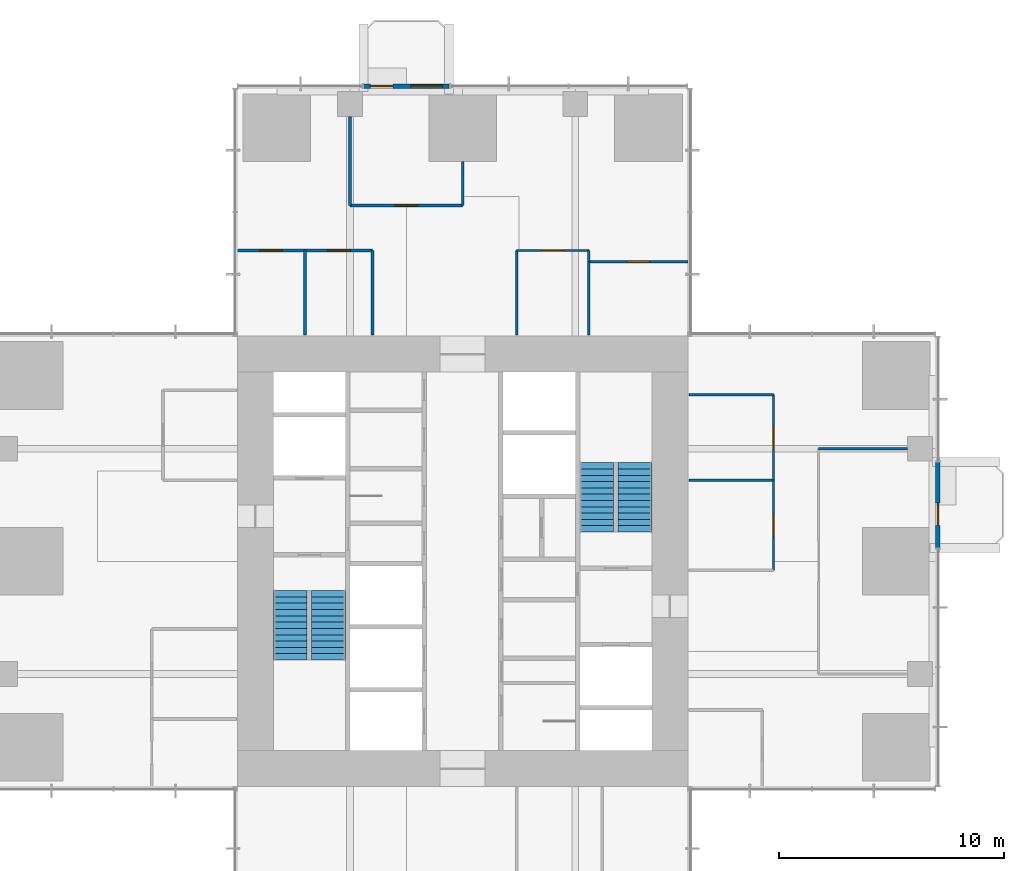
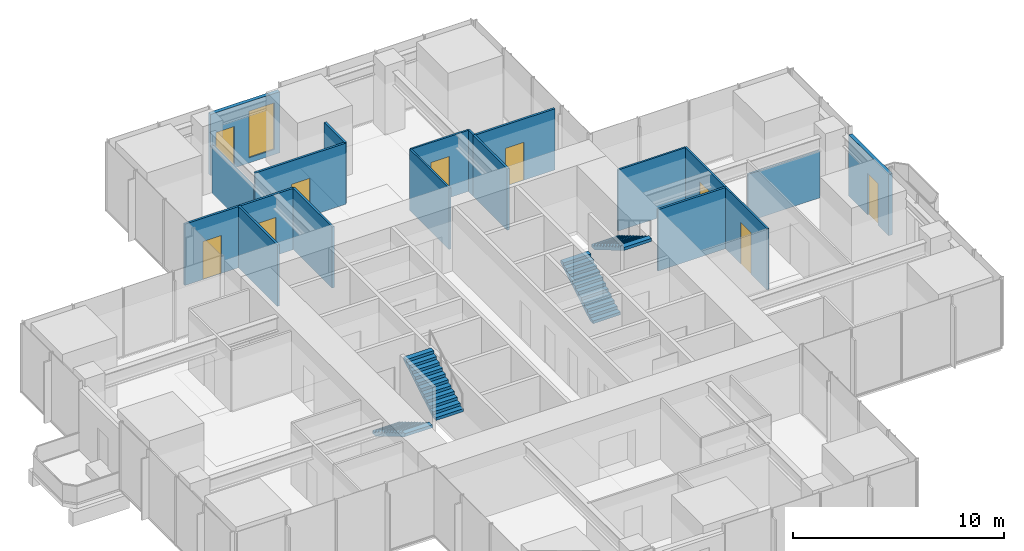
# One storey, part 10 of 13: 19 walls, 9 doors, 4 stair flights, 1 window, 10 openings, 2 elements without a shape of their own.
"""IFC4 building model written with IfcOpenShell, lengths in metres."""

from ifc_helpers import new_model, si_unit, direction, frame, frame_2d, origin, place, context, subcontext, project, spatial, polyline, rectangle, outline, extrude, material, layer, layer_set, type_object, element, fill, aggregate, save


model = new_model("IFC4")

# Units and contexts
model_context = context("Model", 3, precision=1e-05, world=origin(), true_north=direction((0.0, 1.0)))
body_context = subcontext(model_context, "Body", "Model", "MODEL_VIEW")
ifc_project = project(units=[si_unit("LENGTHUNIT", "METRE"), si_unit("AREAUNIT", "SQUARE_METRE"), si_unit("VOLUMEUNIT", "CUBIC_METRE"), si_unit("PLANEANGLEUNIT", "RADIAN"), si_unit("MASSUNIT", "GRAM", prefix="KILO")], contexts=[model_context])

# Site, building, storey
site_placement = place(None, origin())
site = spatial("IfcSite", under=ifc_project, at=site_placement, CompositionType="ELEMENT")
building_placement = place(site_placement, origin())
building = spatial("IfcBuilding", under=site, at=building_placement, Name="Svetlomir Tower", CompositionType="ELEMENT")
storey_placement = place(building_placement, frame((0.0, 0.0, 156.5)))
storey = spatial("IfcBuildingStorey", under=building, at=storey_placement, Name="L37", CompositionType="ELEMENT", Elevation=156.5)

# Wall, opening, door
ifc_material_1 = material(Name="Bronze anodised aluminium glazed screen", Category="aluminium")
ifc_layer_1 = layer(ifc_material_1, 0.199951171875)
ifc_layer_set_1 = layer_set([ifc_layer_1], Name="Bronze anodised aluminium glazed screen")
wall_type_1 = type_object("IfcWallType", Name="BALCONY SCREEN WALL 200", PredefinedType="USERDEFINED", material=ifc_layer_set_1)
wall_1_placement = place(storey_placement, frame((42.10009765625, 21.60009765625, 0.0), z_axis=(0.0, 0.0, 1.0), x_axis=(0.0, 1.0, 0.0)))
wall_1 = element("IfcWall", 1, at=wall_1_placement, inside=storey, type_object=wall_type_1, Name="Balcony screen E", ObjectType="GLAZED SCREEN", PredefinedType="USERDEFINED", context=body_context, shape_type="SweptSolid", body=[
    extrude(rectangle(XDim=3.7998046875, YDim=0.199951171875, at=frame_2d((1.89990234375, 0.0))), origin(), (0.0, 0.0, 1.0), 3.550048828125),
])
opening_1_placement = place(wall_1_placement, frame((1.0, 0.0, 0.0)))
opening_1 = element("IfcOpeningElement", 2, at=opening_1_placement, cuts=wall_1, Name="Opening BD", PredefinedType="OPENING", context=body_context, shape_type="SweptSolid", body=[
    extrude(rectangle(XDim=1.0, YDim=2.39990234375, at=frame_2d((0.5, 1.199951171875))), frame((0.0, 0.10986328125, 0.0), z_axis=(0.0, -1.0, 0.0), x_axis=(1.0, 0.0, 0.0)), (0.0, 0.0, 1.0), 0.219970703125),
])
ifc_material_2 = material(Name="Bronze anodised aluminium glazed door", Category="aluminium")
door_type_1 = type_object("IfcDoorType", Name="BALCONY DOOR BD 1000x2400", OperationType="SINGLE_SWING_LEFT", PredefinedType="DOOR", material=ifc_material_2)
door_1_placement = place(opening_1_placement, origin())
door_1 = element("IfcDoor", 3, at=door_1_placement, inside=storey, type_object=door_type_1, Name="Balcony screen E door", OperationType="SINGLE_SWING_LEFT", OverallHeight=2.39990234375, OverallWidth=1.0, PredefinedType="DOOR", context=body_context, shape_type="SweptSolid", body=[
    extrude(rectangle(XDim=1.0, YDim=2.39990234375, at=frame_2d((0.5, 1.199951171875))), frame((0.0, 0.02490234375, 0.0), z_axis=(0.0, -1.0, 0.0), x_axis=(1.0, 0.0, 0.0)), (0.0, 0.0, 1.0), 0.050048828125),
])
fill(opening_1, door_1)

# Wall, openings, door, window
wall_2_placement = place(storey_placement, frame((20.39990234375, 42.10009765625, 0.0), z_axis=(0.0, 0.0, 1.0), x_axis=(-1.0, 0.0, 0.0)))
wall_2 = element("IfcWall", 4, at=wall_2_placement, inside=storey, type_object=wall_type_1, Name="Balcony screen N", ObjectType="GLAZED SCREEN", PredefinedType="USERDEFINED", context=body_context, shape_type="SweptSolid", body=[
    extrude(rectangle(XDim=3.7998046875, YDim=0.199951171875, at=frame_2d((1.89990234375, 0.0))), origin(), (0.0, 0.0, 1.0), 3.550048828125),
])
opening_2_placement = place(wall_2_placement, frame((2.5, 0.0, 0.0)))
opening_2 = element("IfcOpeningElement", 5, at=opening_2_placement, cuts=wall_2, Name="Opening BD", PredefinedType="OPENING", context=body_context, shape_type="SweptSolid", body=[
    extrude(rectangle(XDim=1.0, YDim=2.39990234375, at=frame_2d((0.5, 1.199951171875))), frame((0.0, 0.10986328125, 0.0), z_axis=(0.0, -1.0, 0.0), x_axis=(1.0, 0.0, 0.0)), (0.0, 0.0, 1.0), 0.219970703125),
])
opening_3_placement = place(wall_2_placement, frame((0.300048828125, 0.0, 0.300048828125)))
opening_3 = element("IfcOpeningElement", 6, at=opening_3_placement, cuts=wall_2, Name="Opening WS2", PredefinedType="OPENING", context=body_context, shape_type="SweptSolid", body=[
    extrude(rectangle(XDim=1.39990234375, YDim=2.699951171875, at=frame_2d((0.699951171875, 1.35009765625))), frame((0.0, 0.10986328125, 0.0), z_axis=(0.0, -1.0, 0.0), x_axis=(1.0, 0.0, 0.0)), (0.0, 0.0, 1.0), 0.219970703125),
])
door_2_placement = place(opening_2_placement, origin())
door_2 = element("IfcDoor", 7, at=door_2_placement, inside=storey, type_object=door_type_1, Name="Balcony screen N door", OperationType="SINGLE_SWING_LEFT", OverallHeight=2.39990234375, OverallWidth=1.0, PredefinedType="DOOR", context=body_context, shape_type="SweptSolid", body=[
    extrude(rectangle(XDim=1.0, YDim=2.39990234375, at=frame_2d((0.5, 1.199951171875))), frame((0.0, 0.02490234375, 0.0), z_axis=(0.0, -1.0, 0.0), x_axis=(1.0, 0.0, 0.0)), (0.0, 0.0, 1.0), 0.050048828125),
])
fill(opening_2, door_2)
ifc_material_3 = material(Name="Bronze anodised aluminium window", Category="aluminium")
window_type = type_object("IfcWindowType", Name="SCREEN WINDOW WS2 1400x2700", PartitioningType="SINGLE_PANEL", PredefinedType="WINDOW", material=ifc_material_3)
window_placement = place(opening_3_placement, origin())
window = element("IfcWindow", 8, at=window_placement, inside=storey, type_object=window_type, Name="Balcony screen N window 1", OverallHeight=2.699951171875, OverallWidth=1.39990234375, PartitioningType="SINGLE_PANEL", PredefinedType="WINDOW", context=body_context, shape_type="SweptSolid", body=[
    extrude(rectangle(XDim=1.39990234375, YDim=2.699951171875, at=frame_2d((0.699951171875, 1.35009765625))), frame((0.0, 0.030029296875, 0.0), z_axis=(0.0, -1.0, 0.0), x_axis=(1.0, 0.0, 0.0)), (0.0, 0.0, 1.0), 0.06005859375),
])
fill(opening_3, window)

# Wall
ifc_material_4 = material(Name="Framed laminated glass partition", Category="glass")
ifc_layer_2 = layer(ifc_material_4, 0.10009765625)
ifc_layer_set_2 = layer_set([ifc_layer_2], Name="Framed laminated glass partition")
wall_type_2 = type_object("IfcWallType", Name="GLAZED PARTITION 100", PredefinedType="PARTITIONING", material=ifc_layer_set_2)
wall_3_placement = place(storey_placement, frame((23.39990234375, 31.050048828125, 0.0), z_axis=(0.0, 0.0, 1.0), x_axis=(0.0, 1.0, 0.0)))
element("IfcWall", 9, at=wall_3_placement, inside=storey, type_object=wall_type_2, Name="Glazed partition L37", PredefinedType="PARTITIONING", context=body_context, shape_type="SweptSolid", body=[
    extrude(rectangle(XDim=3.75, YDim=0.10009765625, at=frame_2d((1.875, 0.0))), origin(), (0.0, 0.0, 1.0), 3.550048828125),
])

# Wall, opening, door
wall_4_placement = place(storey_placement, frame((23.39990234375, 34.800048828125, 0.0), z_axis=(0.0, 0.0, 1.0), x_axis=(1.0, 0.0, 0.0)))
wall_4 = element("IfcWall", 10, at=wall_4_placement, inside=storey, type_object=wall_type_2, Name="Glazed partition L37", PredefinedType="PARTITIONING", context=body_context, shape_type="SweptSolid", body=[
    extrude(rectangle(XDim=3.2001953125, YDim=0.10009765625, at=frame_2d((1.60009765625, 0.0))), origin(), (0.0, 0.0, 1.0), 3.550048828125),
])
opening_4_placement = place(wall_4_placement, frame((1.10009765625, 0.0, 0.0)))
opening_4 = element("IfcOpeningElement", 11, at=opening_4_placement, cuts=wall_4, Name="Opening DG", PredefinedType="OPENING", context=body_context, shape_type="SweptSolid", body=[
    extrude(rectangle(XDim=1.0, YDim=2.39990234375, at=frame_2d((0.5, 1.199951171875))), frame((0.0, 0.06005859375, 0.0), z_axis=(0.0, -1.0, 0.0), x_axis=(1.0, 0.0, 0.0)), (0.0, 0.0, 1.0), 0.1201171875),
])
ifc_material_5 = material(Name="Framed laminated glass door", Category="glass")
door_type_2 = type_object("IfcDoorType", Name="GLAZED DOOR DG 1000x2400", OperationType="SINGLE_SWING_LEFT", PredefinedType="DOOR", material=ifc_material_5)
door_3_placement = place(opening_4_placement, origin())
door_3 = element("IfcDoor", 12, at=door_3_placement, inside=storey, type_object=door_type_2, Name="Focus room 2 door L37", OperationType="SINGLE_SWING_RIGHT", OverallHeight=2.39990234375, OverallWidth=1.0, PredefinedType="DOOR", context=body_context, shape_type="SweptSolid", body=[
    extrude(rectangle(XDim=1.0, YDim=2.39990234375, at=frame_2d((0.5, 1.199951171875))), frame((0.0, 0.02490234375, 0.0), z_axis=(0.0, -1.0, 0.0), x_axis=(1.0, 0.0, 0.0)), (0.0, 0.0, 1.0), 0.050048828125),
])
fill(opening_4, door_3)

# Walls
wall_5_placement = place(storey_placement, frame((26.60009765625, 34.300048828125, 0.0), z_axis=(0.0, 0.0, 1.0), x_axis=(0.0, 1.0, 0.0)))
element("IfcWall", 13, at=wall_5_placement, inside=storey, type_object=wall_type_2, Name="Glazed partition L37", PredefinedType="PARTITIONING", context=body_context, shape_type="SweptSolid", body=[
    extrude(rectangle(XDim=0.5, YDim=0.10009765625, at=frame_2d((0.25, 0.0))), origin(), (0.0, 0.0, 1.0), 3.550048828125),
])
wall_6_placement = place(storey_placement, frame((31.050048828125, 28.39990234375, 0.0), z_axis=(0.0, 0.0, 1.0), x_axis=(1.0, 0.0, 0.0)))
element("IfcWall", 14, at=wall_6_placement, inside=storey, type_object=wall_type_2, Name="Glazed partition L37", PredefinedType="PARTITIONING", context=body_context, shape_type="SweptSolid", body=[
    extrude(rectangle(XDim=3.75, YDim=0.10009765625, at=frame_2d((1.875, 0.0))), origin(), (0.0, 0.0, 1.0), 3.550048828125),
])

# Wall, opening, door
wall_7_placement = place(storey_placement, frame((34.800048828125, 20.60009765625, 0.0), z_axis=(0.0, 0.0, 1.0), x_axis=(0.0, 1.0, 0.0)))
wall_7 = element("IfcWall", 15, at=wall_7_placement, inside=storey, type_object=wall_type_2, Name="Glazed partition L37", PredefinedType="PARTITIONING", context=body_context, shape_type="SweptSolid", body=[
    extrude(rectangle(XDim=4.0, YDim=0.10009765625, at=frame_2d((2.0, 0.0))), origin(), (0.0, 0.0, 1.0), 3.550048828125),
])
opening_5_placement = place(wall_7_placement, frame((1.5, 0.0, 0.0)))
opening_5 = element("IfcOpeningElement", 16, at=opening_5_placement, cuts=wall_7, Name="Opening DG", PredefinedType="OPENING", context=body_context, shape_type="SweptSolid", body=[
    extrude(rectangle(XDim=1.0, YDim=2.39990234375, at=frame_2d((0.5, 1.199951171875))), frame((0.0, 0.06005859375, 0.0), z_axis=(0.0, -1.0, 0.0), x_axis=(1.0, 0.0, 0.0)), (0.0, 0.0, 1.0), 0.1201171875),
])
door_4_placement = place(opening_5_placement, origin())
door_4 = element("IfcDoor", 17, at=door_4_placement, inside=storey, type_object=door_type_2, Name="Meeting room, 8 seats door L37", OperationType="SINGLE_SWING_LEFT", OverallHeight=2.39990234375, OverallWidth=1.0, PredefinedType="DOOR", context=body_context, shape_type="SweptSolid", body=[
    extrude(rectangle(XDim=1.0, YDim=2.39990234375, at=frame_2d((0.5, 1.199951171875))), frame((0.0, 0.02490234375, 0.0), z_axis=(0.0, -1.0, 0.0), x_axis=(1.0, 0.0, 0.0)), (0.0, 0.0, 1.0), 0.050048828125),
])
fill(opening_5, door_4)

wall_8_placement = place(storey_placement, frame((34.800048828125, 24.60009765625, 0.0), z_axis=(0.0, 0.0, 1.0), x_axis=(0.0, 1.0, 0.0)))
wall_8 = element("IfcWall", 18, at=wall_8_placement, inside=storey, type_object=wall_type_2, Name="Glazed partition L37", PredefinedType="PARTITIONING", context=body_context, shape_type="SweptSolid", body=[
    extrude(rectangle(XDim=3.7998046875, YDim=0.10009765625, at=frame_2d((1.89990234375, 0.0))), origin(), (0.0, 0.0, 1.0), 3.550048828125),
])
opening_6_placement = place(wall_8_placement, frame((1.39990234375, 0.0, 0.0)))
opening_6 = element("IfcOpeningElement", 19, at=opening_6_placement, cuts=wall_8, Name="Opening DG", PredefinedType="OPENING", context=body_context, shape_type="SweptSolid", body=[
    extrude(rectangle(XDim=1.0, YDim=2.39990234375, at=frame_2d((0.5, 1.199951171875))), frame((0.0, 0.06005859375, 0.0), z_axis=(0.0, -1.0, 0.0), x_axis=(1.0, 0.0, 0.0)), (0.0, 0.0, 1.0), 0.1201171875),
])
door_5_placement = place(opening_6_placement, origin())
door_5 = element("IfcDoor", 20, at=door_5_placement, inside=storey, type_object=door_type_2, Name="Focus room 1 door L37", OperationType="SINGLE_SWING_RIGHT", OverallHeight=2.39990234375, OverallWidth=1.0, PredefinedType="DOOR", context=body_context, shape_type="SweptSolid", body=[
    extrude(rectangle(XDim=1.0, YDim=2.39990234375, at=frame_2d((0.5, 1.199951171875))), frame((0.0, 0.02490234375, 0.0), z_axis=(0.0, -1.0, 0.0), x_axis=(1.0, 0.0, 0.0)), (0.0, 0.0, 1.0), 0.050048828125),
])
fill(opening_6, door_5)

# Wall
wall_9_placement = place(storey_placement, frame((36.800048828125, 26.0, 0.0), z_axis=(0.0, 0.0, 1.0), x_axis=(1.0, 0.0, 0.0)))
element("IfcWall", 21, at=wall_9_placement, inside=storey, type_object=wall_type_2, Name="Glazed partition L37", PredefinedType="PARTITIONING", context=body_context, shape_type="SweptSolid", body=[
    extrude(rectangle(XDim=3.93994140625, YDim=0.10009765625, at=frame_2d((1.969970703125, 0.0))), origin(), (0.0, 0.0, 1.0), 2.736083984375),
])

# Wall, opening, door
ifc_material_6 = material(Name="Gypsum board on steel studs", Category="steel")
ifc_layer_3 = layer(ifc_material_6, 0.1201171875)
ifc_layer_set_3 = layer_set([ifc_layer_3], Name="Gypsum board on steel studs")
wall_type_3 = type_object("IfcWallType", Name="PARTITION 120", PredefinedType="PARTITIONING", material=ifc_layer_set_3)
wall_10_placement = place(storey_placement, frame((11.0, 34.800048828125, 0.0), z_axis=(0.0, 0.0, 1.0), x_axis=(1.0, 0.0, 0.0)))
wall_10 = element("IfcWall", 22, at=wall_10_placement, inside=storey, type_object=wall_type_3, Name="Partition L37", PredefinedType="PARTITIONING", context=body_context, shape_type="SweptSolid", body=[
    extrude(rectangle(XDim=3.0, YDim=0.1201171875, at=frame_2d((1.5, 0.0))), origin(), (0.0, 0.0, 1.0), 3.550048828125),
])
opening_7_placement = place(wall_10_placement, frame((1.0, 0.0, 0.0)))
opening_7 = element("IfcOpeningElement", 23, at=opening_7_placement, cuts=wall_10, Name="Opening DR", PredefinedType="OPENING", context=body_context, shape_type="SweptSolid", body=[
    extrude(rectangle(XDim=1.0, YDim=2.199951171875, at=frame_2d((0.5, 1.10009765625))), frame((0.0, 0.070068359375, 0.0), z_axis=(0.0, -1.0, 0.0), x_axis=(1.0, 0.0, 0.0)), (0.0, 0.0, 1.0), 0.14013671875),
])
ifc_material_7 = material(Name="Timber door, glazed side light", Category="wood")
door_type_3 = type_object("IfcDoorType", Name="DOOR DR 1000x2200", OperationType="SINGLE_SWING_LEFT", PredefinedType="DOOR", material=ifc_material_7)
door_6_placement = place(opening_7_placement, origin())
door_6 = element("IfcDoor", 24, at=door_6_placement, inside=storey, type_object=door_type_3, Name="Editing suite 1 door L37", OperationType="SINGLE_SWING_RIGHT", OverallHeight=2.199951171875, OverallWidth=1.0, PredefinedType="DOOR", context=body_context, shape_type="SweptSolid", body=[
    extrude(rectangle(XDim=1.0, YDim=2.199951171875, at=frame_2d((0.5, 1.10009765625))), frame((0.0, 0.02490234375, 0.0), z_axis=(0.0, -1.0, 0.0), x_axis=(1.0, 0.0, 0.0)), (0.0, 0.0, 1.0), 0.050048828125),
])
fill(opening_7, door_6)

# Wall
wall_11_placement = place(storey_placement, frame((14.0, 31.050048828125, 0.0), z_axis=(0.0, 0.0, 1.0), x_axis=(0.0, 1.0, 0.0)))
element("IfcWall", 25, at=wall_11_placement, inside=storey, type_object=wall_type_3, Name="Partition L37", PredefinedType="PARTITIONING", context=body_context, shape_type="SweptSolid", body=[
    extrude(rectangle(XDim=3.75, YDim=0.1201171875, at=frame_2d((1.875, 0.0))), origin(), (0.0, 0.0, 1.0), 3.550048828125),
])

# Wall, opening, door
wall_12_placement = place(storey_placement, frame((14.0, 34.800048828125, 0.0), z_axis=(0.0, 0.0, 1.0), x_axis=(1.0, 0.0, 0.0)))
wall_12 = element("IfcWall", 26, at=wall_12_placement, inside=storey, type_object=wall_type_3, Name="Partition L37", PredefinedType="PARTITIONING", context=body_context, shape_type="SweptSolid", body=[
    extrude(rectangle(XDim=3.0, YDim=0.1201171875, at=frame_2d((1.5, 0.0))), origin(), (0.0, 0.0, 1.0), 3.550048828125),
])
opening_8_placement = place(wall_12_placement, frame((1.0, 0.0, 0.0)))
opening_8 = element("IfcOpeningElement", 27, at=opening_8_placement, cuts=wall_12, Name="Opening DR", PredefinedType="OPENING", context=body_context, shape_type="SweptSolid", body=[
    extrude(rectangle(XDim=1.0, YDim=2.199951171875, at=frame_2d((0.5, 1.10009765625))), frame((0.0, 0.070068359375, 0.0), z_axis=(0.0, -1.0, 0.0), x_axis=(1.0, 0.0, 0.0)), (0.0, 0.0, 1.0), 0.14013671875),
])
door_7_placement = place(opening_8_placement, origin())
door_7 = element("IfcDoor", 28, at=door_7_placement, inside=storey, type_object=door_type_3, Name="Editing suite 2 door L37", OperationType="SINGLE_SWING_LEFT", OverallHeight=2.199951171875, OverallWidth=1.0, PredefinedType="DOOR", context=body_context, shape_type="SweptSolid", body=[
    extrude(rectangle(XDim=1.0, YDim=2.199951171875, at=frame_2d((0.5, 1.10009765625))), frame((0.0, 0.02490234375, 0.0), z_axis=(0.0, -1.0, 0.0), x_axis=(1.0, 0.0, 0.0)), (0.0, 0.0, 1.0), 0.050048828125),
])
fill(opening_8, door_7)

# Wall
wall_13_placement = place(storey_placement, frame((16.0, 36.800048828125, 0.0), z_axis=(0.0, 0.0, 1.0), x_axis=(0.0, 1.0, 0.0)))
element("IfcWall", 29, at=wall_13_placement, inside=storey, type_object=wall_type_3, Name="Partition L37", PredefinedType="PARTITIONING", context=body_context, shape_type="SweptSolid", body=[
    extrude(rectangle(XDim=3.93994140625, YDim=0.1201171875, at=frame_2d((1.969970703125, 0.0))), origin(), (0.0, 0.0, 1.0), 2.736083984375),
])

# Wall, opening, door
wall_14_placement = place(storey_placement, frame((16.0, 36.800048828125, 0.0), z_axis=(0.0, 0.0, 1.0), x_axis=(1.0, 0.0, 0.0)))
wall_14 = element("IfcWall", 30, at=wall_14_placement, inside=storey, type_object=wall_type_3, Name="Partition L37", PredefinedType="PARTITIONING", context=body_context, shape_type="SweptSolid", body=[
    extrude(rectangle(XDim=5.0, YDim=0.1201171875, at=frame_2d((2.5, 0.0))), origin(), (0.0, 0.0, 1.0), 3.550048828125),
])
opening_9_placement = place(wall_14_placement, frame((2.0, 0.0, 0.0)))
opening_9 = element("IfcOpeningElement", 31, at=opening_9_placement, cuts=wall_14, Name="Opening DR", PredefinedType="OPENING", context=body_context, shape_type="SweptSolid", body=[
    extrude(rectangle(XDim=1.0, YDim=2.199951171875, at=frame_2d((0.5, 1.10009765625))), frame((0.0, 0.070068359375, 0.0), z_axis=(0.0, -1.0, 0.0), x_axis=(1.0, 0.0, 0.0)), (0.0, 0.0, 1.0), 0.14013671875),
])
door_8_placement = place(opening_9_placement, origin())
door_8 = element("IfcDoor", 32, at=door_8_placement, inside=storey, type_object=door_type_3, Name="Photo studio door L37", OperationType="SINGLE_SWING_RIGHT", OverallHeight=2.199951171875, OverallWidth=1.0, PredefinedType="DOOR", context=body_context, shape_type="SweptSolid", body=[
    extrude(rectangle(XDim=1.0, YDim=2.199951171875, at=frame_2d((0.5, 1.10009765625))), frame((0.0, 0.02490234375, 0.0), z_axis=(0.0, -1.0, 0.0), x_axis=(1.0, 0.0, 0.0)), (0.0, 0.0, 1.0), 0.050048828125),
])
fill(opening_9, door_8)

# Walls
wall_15_placement = place(storey_placement, frame((17.0, 31.050048828125, 0.0), z_axis=(0.0, 0.0, 1.0), x_axis=(0.0, 1.0, 0.0)))
element("IfcWall", 33, at=wall_15_placement, inside=storey, type_object=wall_type_3, Name="Partition L37", PredefinedType="PARTITIONING", context=body_context, shape_type="SweptSolid", body=[
    extrude(rectangle(XDim=3.75, YDim=0.1201171875, at=frame_2d((1.875, 0.0))), origin(), (0.0, 0.0, 1.0), 3.550048828125),
])
wall_16_placement = place(storey_placement, frame((21.0, 36.800048828125, 0.0), z_axis=(0.0, 0.0, 1.0), x_axis=(0.0, 1.0, 0.0)))
element("IfcWall", 34, at=wall_16_placement, inside=storey, type_object=wall_type_3, Name="Partition L37", PredefinedType="PARTITIONING", context=body_context, shape_type="SweptSolid", body=[
    extrude(rectangle(XDim=1.93994140625, YDim=0.1201171875, at=frame_2d((0.969970703125, 0.0))), origin(), (0.0, 0.0, 1.0), 3.550048828125),
])
wall_17_placement = place(storey_placement, frame((26.60009765625, 31.050048828125, 0.0), z_axis=(0.0, 0.0, 1.0), x_axis=(0.0, 1.0, 0.0)))
element("IfcWall", 35, at=wall_17_placement, inside=storey, type_object=wall_type_3, Name="Partition L37", PredefinedType="PARTITIONING", context=body_context, shape_type="SweptSolid", body=[
    extrude(rectangle(XDim=3.25, YDim=0.1201171875, at=frame_2d((1.625, 0.0))), origin(), (0.0, 0.0, 1.0), 3.550048828125),
])

# Wall, opening, door
wall_18_placement = place(storey_placement, frame((26.60009765625, 34.300048828125, 0.0), z_axis=(0.0, 0.0, 1.0), x_axis=(1.0, 0.0, 0.0)))
wall_18 = element("IfcWall", 36, at=wall_18_placement, inside=storey, type_object=wall_type_3, Name="Partition L37", PredefinedType="PARTITIONING", context=body_context, shape_type="SweptSolid", body=[
    extrude(rectangle(XDim=4.39990234375, YDim=0.1201171875, at=frame_2d((2.199951171875, 0.0))), origin(), (0.0, 0.0, 1.0), 3.550048828125),
])
opening_10_placement = place(wall_18_placement, frame((1.699951171875, 0.0, 0.0)))
opening_10 = element("IfcOpeningElement", 37, at=opening_10_placement, cuts=wall_18, Name="Opening DR", PredefinedType="OPENING", context=body_context, shape_type="SweptSolid", body=[
    extrude(rectangle(XDim=1.0, YDim=2.199951171875, at=frame_2d((0.5, 1.10009765625))), frame((0.0, 0.070068359375, 0.0), z_axis=(0.0, -1.0, 0.0), x_axis=(1.0, 0.0, 0.0)), (0.0, 0.0, 1.0), 0.14013671875),
])
door_9_placement = place(opening_10_placement, origin())
door_9 = element("IfcDoor", 38, at=door_9_placement, inside=storey, type_object=door_type_3, Name="Print and copy room door L37", OperationType="SINGLE_SWING_LEFT", OverallHeight=2.199951171875, OverallWidth=1.0, PredefinedType="DOOR", context=body_context, shape_type="SweptSolid", body=[
    extrude(rectangle(XDim=1.0, YDim=2.199951171875, at=frame_2d((0.5, 1.10009765625))), frame((0.0, 0.02490234375, 0.0), z_axis=(0.0, -1.0, 0.0), x_axis=(1.0, 0.0, 0.0)), (0.0, 0.0, 1.0), 0.050048828125),
])
fill(opening_10, door_9)

# Wall
wall_19_placement = place(storey_placement, frame((31.050048828125, 24.60009765625, 0.0), z_axis=(0.0, 0.0, 1.0), x_axis=(1.0, 0.0, 0.0)))
element("IfcWall", 39, at=wall_19_placement, inside=storey, type_object=wall_type_3, Name="Partition L37", PredefinedType="PARTITIONING", context=body_context, shape_type="SweptSolid", body=[
    extrude(rectangle(XDim=3.75, YDim=0.1201171875, at=frame_2d((1.875, 0.0))), origin(), (0.0, 0.0, 1.0), 3.550048828125),
])

# Stair, stair flights
ifc_material_8 = material(Name="Concrete C60/75", Category="concrete")
stair_type = type_object("IfcStairType", Name="EXIT STAIR 3200 RISE 4000", PredefinedType="HALF_TURN_STAIR", material=ifc_material_8)
stair_1_placement = place(storey_placement, origin())
stair_1 = element("IfcStair", 40, at=stair_1_placement, inside=storey, type_object=stair_type, Name="Stair S1 L37 to L38", PredefinedType="HALF_TURN_STAIR")
ifc_material_9 = material(Name="Concrete C60/75", Category="concrete")
stair_flight_type = type_object("IfcStairFlightType", Name="STAIR FLIGHT 1500 OF 12 RISERS", PredefinedType="STRAIGHT", material=ifc_material_9)
stair_flight_1_placement = place(storey_placement, frame((13.35009765625, 19.699951171875, 0.0), z_axis=(0.0, 0.0, 1.0), x_axis=(0.0, -1.0, 0.0)))
stair_flight_1 = element("IfcStairFlight", 41, at=stair_flight_1_placement, type_object=stair_flight_type, Name="S1 flight 1", NumberOfRisers=12, NumberOfTreads=11, PredefinedType="STRAIGHT", RiserHeight=0.166666667, TreadLength=0.28, context=body_context, shape_type="SweptSolid", body=[
    extrude(outline(polyline([(0.0, 0.0), (0.0, 0.166748046875), (0.280029296875, 0.166748046875), (0.280029296875, 0.333251953125), (0.56005859375, 0.333251953125), (0.56005859375, 0.5), (0.840087890625, 0.5), (0.840087890625, 0.666748046875), (1.1201171875, 0.666748046875), (1.1201171875, 0.833251953125), (1.39990234375, 0.833251953125), (1.39990234375, 1.0), (1.679931640625, 1.0), (1.679931640625, 1.166748046875), (1.9599609375, 1.166748046875), (1.9599609375, 1.333251953125), (2.239990234375, 1.333251953125), (2.239990234375, 1.5), (2.52001953125, 1.5), (2.52001953125, 1.666748046875), (2.800048828125, 1.666748046875), (2.800048828125, 1.833251953125), (3.080078125, 1.833251953125), (3.080078125, 2.0), (3.080078125, 1.658935546875), (0.29296875, 0.0), (0.0, 0.0)])), frame((0.0, 0.75, 0.0), z_axis=(0.0, -1.0, 0.0), x_axis=(1.0, 0.0, 0.0)), (0.0, 0.0, 1.0), 1.5),
])
stair_flight_2_placement = place(storey_placement, frame((15.050048828125, 16.6201171875, 2.0), z_axis=(0.0, 0.0, 1.0), x_axis=(0.0, 1.0, 0.0)))
stair_flight_2 = element("IfcStairFlight", 42, at=stair_flight_2_placement, type_object=stair_flight_type, Name="S1 flight 2", NumberOfRisers=12, NumberOfTreads=11, PredefinedType="STRAIGHT", RiserHeight=0.166666667, TreadLength=0.28, context=body_context, shape_type="SweptSolid", body=[
    extrude(outline(polyline([(0.0, 0.0), (0.0, 0.166748046875), (0.280029296875, 0.166748046875), (0.280029296875, 0.333251953125), (0.56005859375, 0.333251953125), (0.56005859375, 0.5), (0.840087890625, 0.5), (0.840087890625, 0.666748046875), (1.1201171875, 0.666748046875), (1.1201171875, 0.833251953125), (1.39990234375, 0.833251953125), (1.39990234375, 1.0), (1.679931640625, 1.0), (1.679931640625, 1.166748046875), (1.9599609375, 1.166748046875), (1.9599609375, 1.333251953125), (2.239990234375, 1.333251953125), (2.239990234375, 1.5), (2.52001953125, 1.5), (2.52001953125, 1.666748046875), (2.800048828125, 1.666748046875), (2.800048828125, 1.833251953125), (3.080078125, 1.833251953125), (3.080078125, 2.0), (3.080078125, 1.658935546875), (0.29296875, 0.0), (0.0, 0.0)])), frame((0.0, 0.75, 0.0), z_axis=(0.0, -1.0, 0.0), x_axis=(1.0, 0.0, 0.0)), (0.0, 0.0, 1.0), 1.5),
])
aggregate(stair_1, [stair_flight_1, stair_flight_2])

stair_2_placement = place(storey_placement, origin())
stair_2 = element("IfcStair", 43, at=stair_2_placement, inside=storey, type_object=stair_type, Name="Stair S2 L37 to L38", PredefinedType="HALF_TURN_STAIR")
stair_flight_3_placement = place(storey_placement, frame((26.949951171875, 22.300048828125, 0.0), z_axis=(0.0, 0.0, 1.0), x_axis=(0.0, 1.0, 0.0)))
stair_flight_3 = element("IfcStairFlight", 44, at=stair_flight_3_placement, type_object=stair_flight_type, Name="S2 flight 1", NumberOfRisers=12, NumberOfTreads=11, PredefinedType="STRAIGHT", RiserHeight=0.166666667, TreadLength=0.28, context=body_context, shape_type="SweptSolid", body=[
    extrude(outline(polyline([(0.0, 0.0), (0.0, 0.166748046875), (0.280029296875, 0.166748046875), (0.280029296875, 0.333251953125), (0.56005859375, 0.333251953125), (0.56005859375, 0.5), (0.840087890625, 0.5), (0.840087890625, 0.666748046875), (1.1201171875, 0.666748046875), (1.1201171875, 0.833251953125), (1.39990234375, 0.833251953125), (1.39990234375, 1.0), (1.679931640625, 1.0), (1.679931640625, 1.166748046875), (1.9599609375, 1.166748046875), (1.9599609375, 1.333251953125), (2.239990234375, 1.333251953125), (2.239990234375, 1.5), (2.52001953125, 1.5), (2.52001953125, 1.666748046875), (2.800048828125, 1.666748046875), (2.800048828125, 1.833251953125), (3.080078125, 1.833251953125), (3.080078125, 2.0), (3.080078125, 1.658935546875), (0.29296875, 0.0), (0.0, 0.0)])), frame((0.0, 0.75, 0.0), z_axis=(0.0, -1.0, 0.0), x_axis=(1.0, 0.0, 0.0)), (0.0, 0.0, 1.0), 1.5),
])
stair_flight_4_placement = place(storey_placement, frame((28.64990234375, 25.3798828125, 2.0), z_axis=(0.0, 0.0, 1.0), x_axis=(0.0, -1.0, 0.0)))
stair_flight_4 = element("IfcStairFlight", 45, at=stair_flight_4_placement, type_object=stair_flight_type, Name="S2 flight 2", NumberOfRisers=12, NumberOfTreads=11, PredefinedType="STRAIGHT", RiserHeight=0.166666667, TreadLength=0.28, context=body_context, shape_type="SweptSolid", body=[
    extrude(outline(polyline([(0.0, 0.0), (0.0, 0.166748046875), (0.280029296875, 0.166748046875), (0.280029296875, 0.333251953125), (0.56005859375, 0.333251953125), (0.56005859375, 0.5), (0.840087890625, 0.5), (0.840087890625, 0.666748046875), (1.1201171875, 0.666748046875), (1.1201171875, 0.833251953125), (1.39990234375, 0.833251953125), (1.39990234375, 1.0), (1.679931640625, 1.0), (1.679931640625, 1.166748046875), (1.9599609375, 1.166748046875), (1.9599609375, 1.333251953125), (2.239990234375, 1.333251953125), (2.239990234375, 1.5), (2.52001953125, 1.5), (2.52001953125, 1.666748046875), (2.800048828125, 1.666748046875), (2.800048828125, 1.833251953125), (3.080078125, 1.833251953125), (3.080078125, 2.0), (3.080078125, 1.658935546875), (0.29296875, 0.0), (0.0, 0.0)])), frame((0.0, 0.75, 0.0), z_axis=(0.0, -1.0, 0.0), x_axis=(1.0, 0.0, 0.0)), (0.0, 0.0, 1.0), 1.5),
])
aggregate(stair_2, [stair_flight_3, stair_flight_4])

save(model, "model.ifc")
